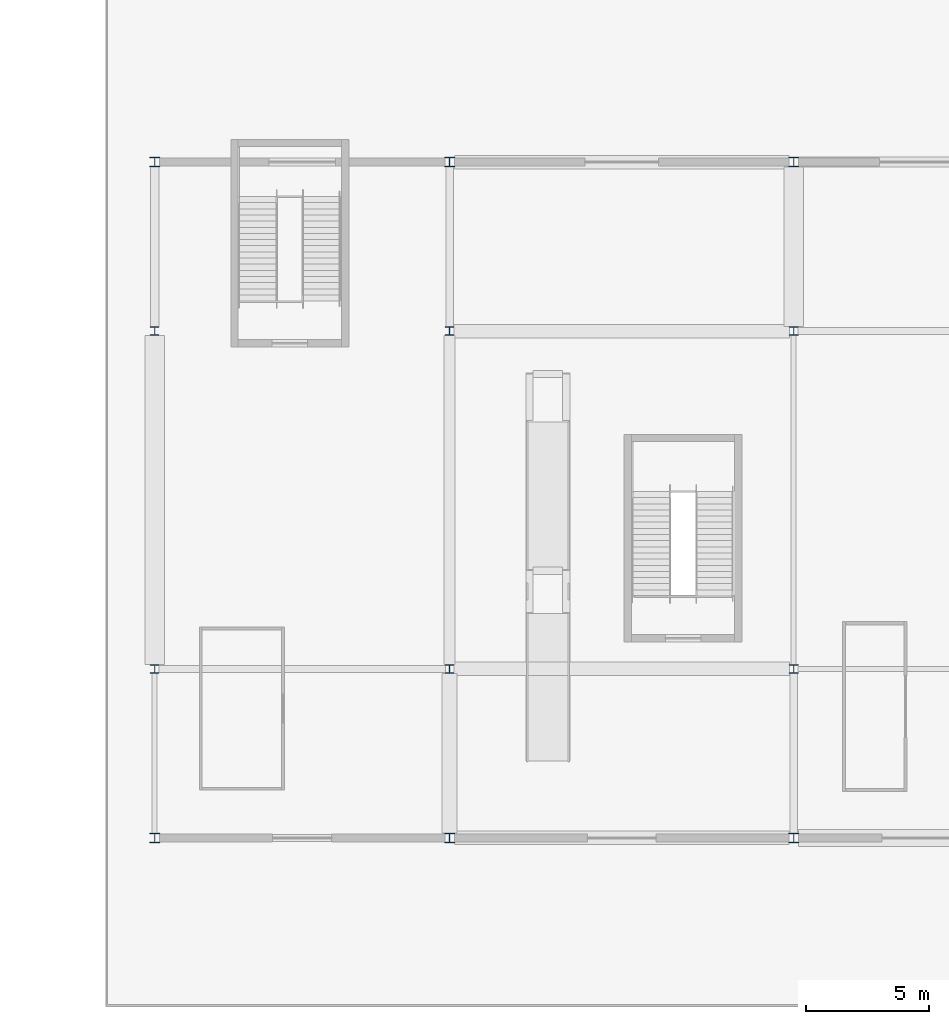
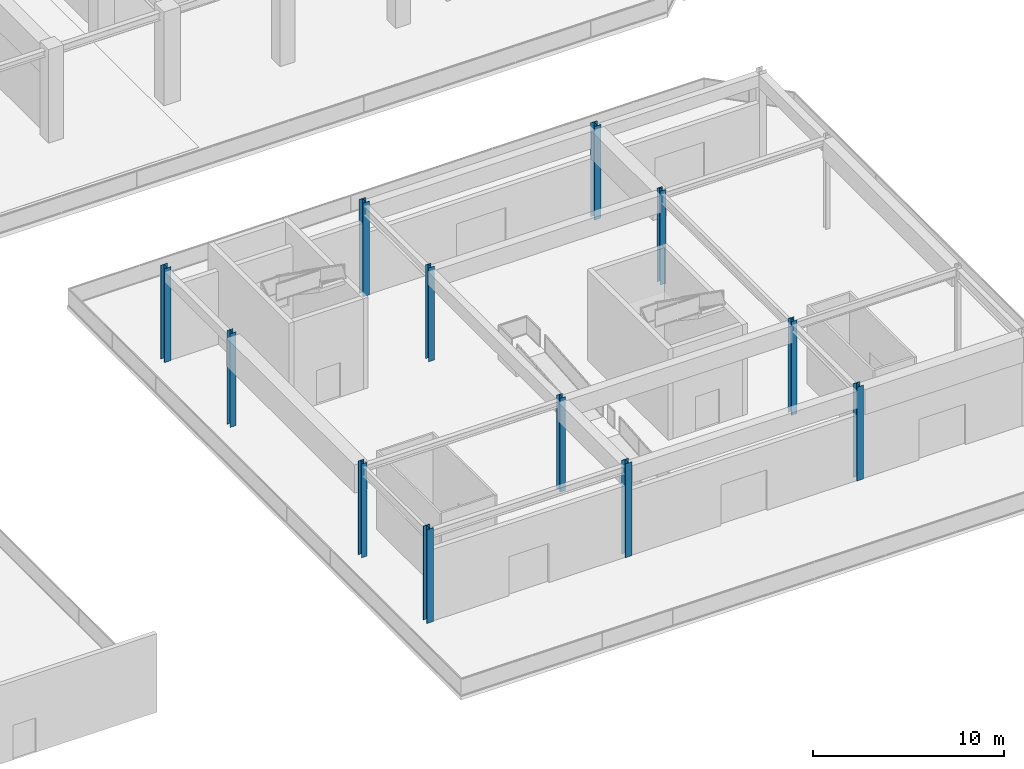
# One storey, part 9 of 73: 12 columns.
"""IFC4 building model written with IfcOpenShell, lengths in metres."""

from ifc_helpers import new_model, si_unit, direction, frame, origin, origin_2d, place, context, subcontext, project, spatial, i_section, extrude, material, material_profile, profile_set, type_object, element, save


model = new_model("IFC4")

# Units and contexts
model_context = context("Model", 3, precision=1e-05, world=origin(), true_north=direction((0.0, 1.0)))
body_context = subcontext(model_context, "Body", "Model", "MODEL_VIEW")
ifc_project = project(units=[si_unit("LENGTHUNIT", "METRE"), si_unit("AREAUNIT", "SQUARE_METRE"), si_unit("VOLUMEUNIT", "CUBIC_METRE"), si_unit("PLANEANGLEUNIT", "RADIAN"), si_unit("MASSUNIT", "GRAM", prefix="KILO")], contexts=[model_context])

# Site, building, storey
site_placement = place(None, origin())
site = spatial("IfcSite", under=ifc_project, at=site_placement, CompositionType="ELEMENT")
building_placement = place(site_placement, origin())
building = spatial("IfcBuilding", under=site, at=building_placement, Name="Linyun Crest Stadium", CompositionType="ELEMENT")
storey_placement = place(building_placement, origin())
storey = spatial("IfcBuildingStorey", under=building, at=storey_placement, Name="L01", CompositionType="ELEMENT", Elevation=0.0)

# Columns
ifc_material_1 = material(Name="Steel Q355C", Category="steel")
ifc_material_profile_1 = material_profile(ifc_material_1, i_section(OverallWidth=0.35009765625, OverallDepth=0.35009765625, WebThickness=0.011962890625, FlangeThickness=0.01904296875, at=origin_2d()), Name="HW 350x350")
ifc_profile_set_1 = profile_set([ifc_material_profile_1], Name="Steel Q355C")
column_type_1 = type_object("IfcColumnType", Name="SC01", PredefinedType="COLUMN", material=ifc_profile_set_1)
for number, where, z_axis, x_axis, name in (
    (1, (58.0, -87.25, 0.0), (0.0, 0.0, 1.0), (1.0, 0.0, 0.0), "Column SC01 L01 902"),
    (2, (58.0, -73.5, 0.0), (0.0, 0.0, 1.0), (1.0, 0.0, 0.0), "Column SC01 L01 905"),
    (3, (70.0, -87.25, 0.0), (0.0, 0.0, 1.0), (1.0, 0.0, 0.0), "Column SC01 L01 914"),
    (4, (70.0, -73.5, 0.0), (0.0, 0.0, 1.0), (1.0, 0.0, 0.0), "Column SC01 L01 917"),
    (5, (84.0, -87.25, 0.0), (0.0, 0.0, 1.0), (1.0, 0.0, 0.0), "Column SC01 L01 926"),
    (6, (84.0, -73.5, 0.0), (0.0, 0.0, 1.0), (1.0, 0.0, 0.0), "Column SC01 L01 929"),
):
    element("IfcColumn", number, at=place(storey_placement, frame(where, z_axis=z_axis, x_axis=x_axis)), inside=storey, type_object=column_type_1, Name=name, PredefinedType="COLUMN", context=body_context, shape_type="SweptSolid", body=[
        extrude(i_section(OverallWidth=0.35009765625, OverallDepth=0.35009765625, WebThickness=0.011962890625, FlangeThickness=0.01904296875, at=origin_2d()), origin(), (0.0, 0.0, 1.0), 5.998046875),
    ])
ifc_material_2 = material(Name="Steel Q355C", Category="steel")
ifc_material_profile_2 = material_profile(ifc_material_2, i_section(OverallWidth=0.39990234375, OverallDepth=0.39990234375, WebThickness=0.012939453125, FlangeThickness=0.02099609375, at=origin_2d()), Name="HW 400x400")
ifc_profile_set_2 = profile_set([ifc_material_profile_2], Name="Steel Q355C")
column_type_2 = type_object("IfcColumnType", Name="SC02", PredefinedType="COLUMN", material=ifc_profile_set_2)
for number, where, z_axis, x_axis, name in (
    (7, (58.0, -94.125, 0.0), (0.0, 0.0, 1.0), (1.0, 0.0, 0.0), "Column SC02 L01 899"),
    (8, (58.0, -66.625, 0.0), (0.0, 0.0, 1.0), (1.0, 0.0, 0.0), "Column SC02 L01 908"),
    (9, (70.0, -94.125, 0.0), (0.0, 0.0, 1.0), (1.0, 0.0, 0.0), "Column SC02 L01 911"),
    (10, (70.0, -66.625, 0.0), (0.0, 0.0, 1.0), (1.0, 0.0, 0.0), "Column SC02 L01 920"),
    (11, (84.0, -94.125, 0.0), (0.0, 0.0, 1.0), (1.0, 0.0, 0.0), "Column SC02 L01 923"),
    (12, (84.0, -66.625, 0.0), (0.0, 0.0, 1.0), (1.0, 0.0, 0.0), "Column SC02 L01 932"),
):
    element("IfcColumn", number, at=place(storey_placement, frame(where, z_axis=z_axis, x_axis=x_axis)), inside=storey, type_object=column_type_2, Name=name, PredefinedType="COLUMN", context=body_context, shape_type="SweptSolid", body=[
        extrude(i_section(OverallWidth=0.39990234375, OverallDepth=0.39990234375, WebThickness=0.012939453125, FlangeThickness=0.02099609375, at=origin_2d()), origin(), (0.0, 0.0, 1.0), 5.998046875),
    ])

save(model, "model.ifc")
